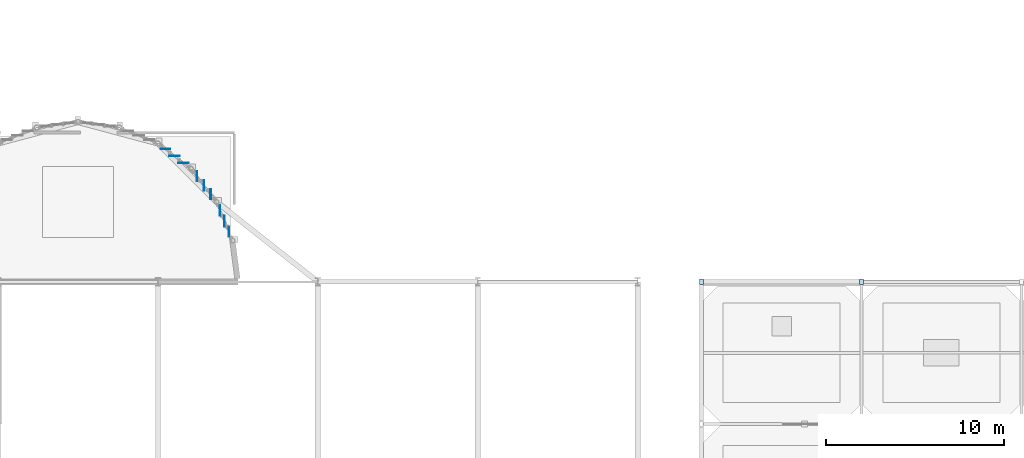
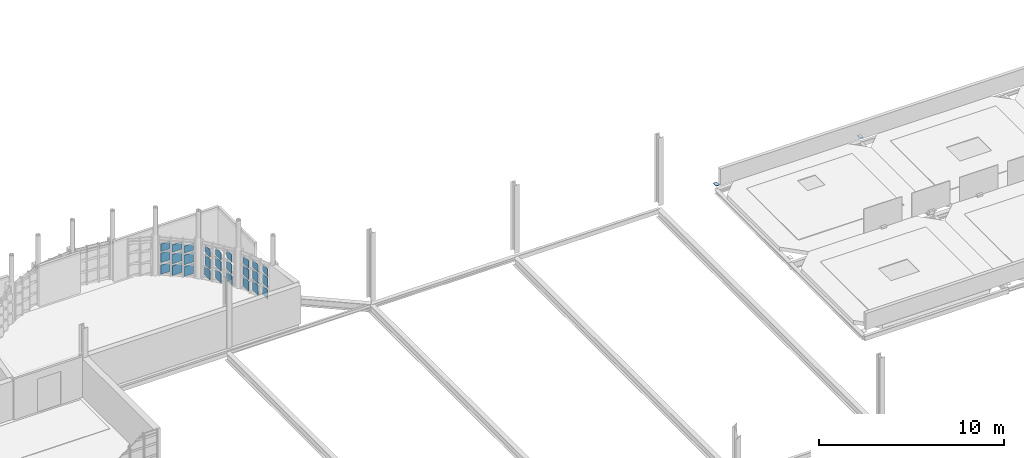
# One storey, part 36 of 44: 29 plates, 3 elements without a shape of their own.
"""IFC4 building model written with IfcOpenShell, lengths in metres."""

from ifc_helpers import new_model, si_unit, direction, frame, origin, origin_2d, place, context, subcontext, project, spatial, rectangle, extrude, material, layer, layer_set, type_object, element, aggregate, save


model = new_model("IFC4")

# Units and contexts
model_context = context("Model", 3, precision=1e-05, world=origin(), true_north=direction((0.0, 1.0)))
body_context = subcontext(model_context, "Body", "Model", "MODEL_VIEW")
ifc_project = project(units=[si_unit("LENGTHUNIT", "METRE"), si_unit("AREAUNIT", "SQUARE_METRE"), si_unit("VOLUMEUNIT", "CUBIC_METRE"), si_unit("PLANEANGLEUNIT", "RADIAN"), si_unit("MASSUNIT", "GRAM", prefix="KILO")], contexts=[model_context])

# Site, building, storey
site_placement = place(None, origin())
site = spatial("IfcSite", under=ifc_project, at=site_placement, CompositionType="ELEMENT")
building_placement = place(site_placement, origin())
building = spatial("IfcBuilding", under=site, at=building_placement, Name="Serraforn Aerial Cableway Station", CompositionType="ELEMENT")
storey_placement = place(building_placement, frame((0.0, 0.0, 13.800048828125)))
storey = spatial("IfcBuildingStorey", under=building, at=storey_placement, Name="L03", CompositionType="ELEMENT", Elevation=13.800048828125)

# Curtain wall, plate
ifc_material_1 = material(Name="Anodised bronze unitised curtain wall")
curtain_wall_type_1 = type_object("IfcCurtainWallType", Name="CW-SYS-28", PredefinedType="USERDEFINED", material=ifc_material_1)
curtain_wall_1_placement = place(storey_placement, origin())
curtain_wall_1 = element("IfcCurtainWall", 1, at=curtain_wall_1_placement, inside=storey, type_object=curtain_wall_type_1, Name="Unitised Curtain Wall CW-AP-L03-R9", ObjectType="UNITISED CURTAIN WALL", PredefinedType="USERDEFINED")
ifc_material_2 = material(Name="Solar-control low-E double glazing", Category="glass")
ifc_layer_1 = layer(ifc_material_2, 0.02587890625)
ifc_layer_set_1 = layer_set([ifc_layer_1], Name="Solar-control low-E double glazing")
plate_type_1 = type_object("IfcPlateType", Name="CW-GLZ-1", PredefinedType="CURTAIN_PANEL", material=ifc_layer_set_1)
plate_1_placement = place(storey_placement, frame((64.025634765625, 49.467529296875, 1.68505859375), z_axis=(0.0, 0.0, 1.0), x_axis=(1.0, 0.0, 0.0)))
plate_1 = element("IfcPlate", 2, at=plate_1_placement, type_object=plate_type_1, Name="Curtain Wall Panel CW-AP-L03-R9-P3-3", PredefinedType="CURTAIN_PANEL", context=body_context, shape_type="SweptSolid", body=[
    extrude(rectangle(XDim=0.558349609375, YDim=0.02587890625, at=origin_2d()), origin(), (0.0, 0.0, 1.0), 0.5009765625),
])

# Curtain wall, plates
curtain_wall_type_2 = type_object("IfcCurtainWallType", Name="CW-SYS-1", PredefinedType="USERDEFINED", material=ifc_material_1)
curtain_wall_2_placement = place(storey_placement, origin())
curtain_wall_2 = element("IfcCurtainWall", 3, at=curtain_wall_2_placement, inside=storey, type_object=curtain_wall_type_2, Name="Unitised Curtain Wall CW-AP-L03-R10", ObjectType="UNITISED CURTAIN WALL", PredefinedType="USERDEFINED")
plate_2_placement = place(storey_placement, frame((66.179931640625, 47.430908203125, 1.68505859375), z_axis=(0.0, 0.0, 1.0), x_axis=(1.0, 0.0, 0.0)))
plate_2 = element("IfcPlate", 4, at=plate_2_placement, type_object=plate_type_1, Name="Curtain Wall Panel CW-AP-L03-R10-P2-3", PredefinedType="CURTAIN_PANEL", context=body_context, shape_type="SweptSolid", body=[
    extrude(rectangle(XDim=0.02587890625, YDim=0.593505859375, at=origin_2d()), origin(), (0.0, 0.0, 1.0), 0.5009765625),
])
plate_3_placement = place(storey_placement, frame((65.79150390625, 47.937255859375, 0.919921875), z_axis=(0.0, 0.0, 1.0), x_axis=(1.0, 0.0, 0.0)))
plate_3 = element("IfcPlate", 5, at=plate_3_placement, type_object=plate_type_1, Name="Curtain Wall Panel CW-AP-L03-R10-P3-2", PredefinedType="CURTAIN_PANEL", context=body_context, shape_type="SweptSolid", body=[
    extrude(rectangle(XDim=0.02587890625, YDim=0.55078125, at=origin_2d()), origin(), (0.0, 0.0, 1.0), 0.654052734375),
])

curtain_wall_type_3 = type_object("IfcCurtainWallType", Name="CW-SYS-2", PredefinedType="USERDEFINED", material=ifc_material_1)
curtain_wall_3_placement = place(storey_placement, origin())
curtain_wall_3 = element("IfcCurtainWall", 6, at=curtain_wall_3_placement, inside=storey, type_object=curtain_wall_type_3, Name="Unitised Curtain Wall CW-AP-L03-R11", ObjectType="UNITISED CURTAIN WALL", PredefinedType="USERDEFINED")
plate_4_placement = place(storey_placement, frame((67.5927734375, 44.813720703125, 1.68505859375), z_axis=(0.0, 0.0, 1.0), x_axis=(1.0, 0.0, 0.0)))
plate_4 = element("IfcPlate", 7, at=plate_4_placement, type_object=plate_type_1, Name="Curtain Wall Panel CW-AP-L03-R11-P1-3", PredefinedType="CURTAIN_PANEL", context=body_context, shape_type="SweptSolid", body=[
    extrude(rectangle(XDim=0.02587890625, YDim=0.569580078125, at=origin_2d()), origin(), (0.0, 0.0, 1.0), 0.5009765625),
])
plate_5_placement = place(storey_placement, frame((67.34423828125, 45.41357421875, 0.919921875), z_axis=(0.0, 0.0, 1.0), x_axis=(1.0, 0.0, 0.0)))
plate_5 = element("IfcPlate", 8, at=plate_5_placement, type_object=plate_type_1, Name="Curtain Wall Panel CW-AP-L03-R11-P2-2", PredefinedType="CURTAIN_PANEL", context=body_context, shape_type="SweptSolid", body=[
    extrude(rectangle(XDim=0.02587890625, YDim=0.59716796875, at=origin_2d()), origin(), (0.0, 0.0, 1.0), 0.654052734375),
])
plate_6_placement = place(storey_placement, frame((67.09228515625, 46.021484375, 0.15478515625), z_axis=(0.0, 0.0, 1.0), x_axis=(1.0, 0.0, 0.0)))
plate_6 = element("IfcPlate", 9, at=plate_6_placement, type_object=plate_type_1, Name="Curtain Wall Panel CW-AP-L03-R11-P3-1", PredefinedType="CURTAIN_PANEL", context=body_context, shape_type="SweptSolid", body=[
    extrude(rectangle(XDim=0.02587890625, YDim=0.5771484375, at=origin_2d()), origin(), (0.0, 0.0, 1.0), 0.654052734375),
])

# Plate
ifc_layer_2 = layer(ifc_material_2, 0.028076171875)
ifc_layer_set_2 = layer_set([ifc_layer_2], Name="Solar-control low-E double glazing")
plate_type_2 = type_object("IfcPlateType", Name="CW-GLZ-2", PredefinedType="CURTAIN_PANEL", material=ifc_layer_set_2)
plate_7_placement = place(storey_placement, frame((65.79150390625, 47.937255859375, 1.68994140625), z_axis=(0.0, 0.0, 1.0), x_axis=(1.0, 0.0, 0.0)))
plate_7 = element("IfcPlate", 10, at=plate_7_placement, type_object=plate_type_2, Name="Curtain Wall Panel CW-AP-L03-R10-P3-3", PredefinedType="CURTAIN_PANEL", context=body_context, shape_type="SweptSolid", body=[
    extrude(rectangle(XDim=0.028076171875, YDim=0.55078125, at=origin_2d()), origin(), (0.0, 0.0, 1.0), 0.488525390625),
])

plate_8_placement = place(storey_placement, frame((67.34423828125, 45.41357421875, 1.68994140625), z_axis=(0.0, 0.0, 1.0), x_axis=(1.0, 0.0, 0.0)))
plate_8 = element("IfcPlate", 11, at=plate_8_placement, type_object=plate_type_2, Name="Curtain Wall Panel CW-AP-L03-R11-P2-3", PredefinedType="CURTAIN_PANEL", context=body_context, shape_type="SweptSolid", body=[
    extrude(rectangle(XDim=0.028076171875, YDim=0.59716796875, at=origin_2d()), origin(), (0.0, 0.0, 1.0), 0.488525390625),
])

plate_9_placement = place(storey_placement, frame((67.09228515625, 46.021484375, 0.9248046875), z_axis=(0.0, 0.0, 1.0), x_axis=(1.0, 0.0, 0.0)))
plate_9 = element("IfcPlate", 12, at=plate_9_placement, type_object=plate_type_2, Name="Curtain Wall Panel CW-AP-L03-R11-P3-2", PredefinedType="CURTAIN_PANEL", context=body_context, shape_type="SweptSolid", body=[
    extrude(rectangle(XDim=0.028076171875, YDim=0.5771484375, at=origin_2d()), origin(), (0.0, 0.0, 1.0), 0.6416015625),
])

ifc_layer_3 = layer(ifc_material_2, 0.030029296875)
ifc_layer_set_3 = layer_set([ifc_layer_3], Name="Solar-control low-E double glazing")
plate_type_3 = type_object("IfcPlateType", Name="CW-GLZ-3", PredefinedType="CURTAIN_PANEL", material=ifc_layer_set_3)
plate_10_placement = place(storey_placement, frame((67.09228515625, 46.021484375, 1.69775390625), z_axis=(0.0, 0.0, 1.0), x_axis=(1.0, 0.0, 0.0)))
plate_10 = element("IfcPlate", 13, at=plate_10_placement, type_object=plate_type_3, Name="Curtain Wall Panel CW-AP-L03-R11-P3-3", PredefinedType="CURTAIN_PANEL", context=body_context, shape_type="SweptSolid", body=[
    extrude(rectangle(XDim=0.030029296875, YDim=0.5771484375, at=origin_2d()), origin(), (0.0, 0.0, 1.0), 0.473388671875),
])

ifc_layer_4 = layer(ifc_material_2, 0.033935546875)
ifc_layer_set_4 = layer_set([ifc_layer_4], Name="Solar-control low-E double glazing")
plate_type_4 = type_object("IfcPlateType", Name="CW-GLZ-5", PredefinedType="CURTAIN_PANEL", material=ifc_layer_set_4)
plate_11_placement = place(storey_placement, frame((65.043212890625, 48.686767578125, 0.159912109375), z_axis=(0.0, 0.0, 1.0), x_axis=(1.0, 0.0, 0.0)))
plate_11 = element("IfcPlate", 14, at=plate_11_placement, type_object=plate_type_4, Name="Curtain Wall Panel CW-AP-L03-R9-P1-1", PredefinedType="CURTAIN_PANEL", context=body_context, shape_type="SweptSolid", body=[
    extrude(rectangle(XDim=0.575927734375, YDim=0.033935546875, at=origin_2d()), origin(), (0.0, 0.0, 1.0), 0.6416015625),
])

ifc_layer_5 = layer(ifc_material_2, 0.035888671875)
ifc_layer_set_5 = layer_set([ifc_layer_5], Name="Solar-control low-E double glazing")
plate_type_5 = type_object("IfcPlateType", Name="CW-GLZ-6", PredefinedType="CURTAIN_PANEL", material=ifc_layer_set_5)
plate_12_placement = place(storey_placement, frame((65.043212890625, 48.686767578125, 0.9326171875), z_axis=(0.0, 0.0, 1.0), x_axis=(1.0, 0.0, 0.0)))
plate_12 = element("IfcPlate", 15, at=plate_12_placement, type_object=plate_type_5, Name="Curtain Wall Panel CW-AP-L03-R9-P1-2", PredefinedType="CURTAIN_PANEL", context=body_context, shape_type="SweptSolid", body=[
    extrude(rectangle(XDim=0.575927734375, YDim=0.035888671875, at=origin_2d()), origin(), (0.0, 0.0, 1.0), 0.62646484375),
])

plate_13_placement = place(storey_placement, frame((64.532958984375, 49.078369140625, 0.16748046875), z_axis=(0.0, 0.0, 1.0), x_axis=(1.0, 0.0, 0.0)))
plate_13 = element("IfcPlate", 16, at=plate_13_placement, type_object=plate_type_5, Name="Curtain Wall Panel CW-AP-L03-R9-P2-1", PredefinedType="CURTAIN_PANEL", context=body_context, shape_type="SweptSolid", body=[
    extrude(rectangle(XDim=0.598388671875, YDim=0.035888671875, at=origin_2d()), origin(), (0.0, 0.0, 1.0), 0.62646484375),
])

plate_14_placement = place(storey_placement, frame((66.570556640625, 46.921875, 0.16748046875), z_axis=(0.0, 0.0, 1.0), x_axis=(1.0, 0.0, 0.0)))
plate_14 = element("IfcPlate", 17, at=plate_14_placement, type_object=plate_type_5, Name="Curtain Wall Panel CW-AP-L03-R10-P1-1", PredefinedType="CURTAIN_PANEL", context=body_context, shape_type="SweptSolid", body=[
    extrude(rectangle(XDim=0.035888671875, YDim=0.568359375, at=origin_2d()), origin(), (0.0, 0.0, 1.0), 0.62646484375),
])

ifc_layer_6 = layer(ifc_material_2, 0.029052734375)
ifc_layer_set_6 = layer_set([ifc_layer_6], Name="Solar-control low-E double glazing")
plate_type_6 = type_object("IfcPlateType", Name="CW-GLZ-7", PredefinedType="CURTAIN_PANEL", material=ifc_layer_set_6)
plate_15_placement = place(storey_placement, frame((65.043212890625, 48.686767578125, 1.704833984375), z_axis=(0.0, 0.0, 1.0), x_axis=(1.0, 0.0, 0.0)))
plate_15 = element("IfcPlate", 18, at=plate_15_placement, type_object=plate_type_6, Name="Curtain Wall Panel CW-AP-L03-R9-P1-3", PredefinedType="CURTAIN_PANEL", context=body_context, shape_type="SweptSolid", body=[
    extrude(rectangle(XDim=0.575927734375, YDim=0.029052734375, at=origin_2d()), origin(), (0.0, 0.0, 1.0), 0.45849609375),
])

plate_16_placement = place(storey_placement, frame((64.532958984375, 49.078369140625, 0.93994140625), z_axis=(0.0, 0.0, 1.0), x_axis=(1.0, 0.0, 0.0)))
plate_16 = element("IfcPlate", 19, at=plate_16_placement, type_object=plate_type_6, Name="Curtain Wall Panel CW-AP-L03-R9-P2-2", PredefinedType="CURTAIN_PANEL", context=body_context, shape_type="SweptSolid", body=[
    extrude(rectangle(XDim=0.598388671875, YDim=0.029052734375, at=origin_2d()), origin(), (0.0, 0.0, 1.0), 0.611572265625),
])

plate_17_placement = place(storey_placement, frame((64.025634765625, 49.467529296875, 0.1748046875), z_axis=(0.0, 0.0, 1.0), x_axis=(1.0, 0.0, 0.0)))
plate_17 = element("IfcPlate", 20, at=plate_17_placement, type_object=plate_type_6, Name="Curtain Wall Panel CW-AP-L03-R9-P3-1", PredefinedType="CURTAIN_PANEL", context=body_context, shape_type="SweptSolid", body=[
    extrude(rectangle(XDim=0.558349609375, YDim=0.029052734375, at=origin_2d()), origin(), (0.0, 0.0, 1.0), 0.611572265625),
])

plate_18_placement = place(storey_placement, frame((66.570556640625, 46.921875, 0.93994140625), z_axis=(0.0, 0.0, 1.0), x_axis=(1.0, 0.0, 0.0)))
plate_18 = element("IfcPlate", 21, at=plate_18_placement, type_object=plate_type_6, Name="Curtain Wall Panel CW-AP-L03-R10-P1-2", PredefinedType="CURTAIN_PANEL", context=body_context, shape_type="SweptSolid", body=[
    extrude(rectangle(XDim=0.029052734375, YDim=0.568359375, at=origin_2d()), origin(), (0.0, 0.0, 1.0), 0.611572265625),
])

plate_19_placement = place(storey_placement, frame((66.179931640625, 47.430908203125, 0.1748046875), z_axis=(0.0, 0.0, 1.0), x_axis=(1.0, 0.0, 0.0)))
plate_19 = element("IfcPlate", 22, at=plate_19_placement, type_object=plate_type_6, Name="Curtain Wall Panel CW-AP-L03-R10-P2-1", PredefinedType="CURTAIN_PANEL", context=body_context, shape_type="SweptSolid", body=[
    extrude(rectangle(XDim=0.029052734375, YDim=0.593505859375, at=origin_2d()), origin(), (0.0, 0.0, 1.0), 0.611572265625),
])

plate_20_placement = place(storey_placement, frame((67.5927734375, 44.813720703125, 0.1748046875), z_axis=(0.0, 0.0, 1.0), x_axis=(1.0, 0.0, 0.0)))
plate_20 = element("IfcPlate", 23, at=plate_20_placement, type_object=plate_type_6, Name="Curtain Wall Panel CW-AP-L03-R11-P1-1", PredefinedType="CURTAIN_PANEL", context=body_context, shape_type="SweptSolid", body=[
    extrude(rectangle(XDim=0.029052734375, YDim=0.569580078125, at=origin_2d()), origin(), (0.0, 0.0, 1.0), 0.611572265625),
])

ifc_layer_7 = layer(ifc_material_2, 0.031005859375)
ifc_layer_set_7 = layer_set([ifc_layer_7], Name="Solar-control low-E double glazing")
plate_type_7 = type_object("IfcPlateType", Name="CW-GLZ-8", PredefinedType="CURTAIN_PANEL", material=ifc_layer_set_7)
plate_21_placement = place(storey_placement, frame((64.532958984375, 49.078369140625, 1.71240234375), z_axis=(0.0, 0.0, 1.0), x_axis=(1.0, 0.0, 0.0)))
plate_21 = element("IfcPlate", 24, at=plate_21_placement, type_object=plate_type_7, Name="Curtain Wall Panel CW-AP-L03-R9-P2-3", PredefinedType="CURTAIN_PANEL", context=body_context, shape_type="SweptSolid", body=[
    extrude(rectangle(XDim=0.598388671875, YDim=0.031005859375, at=origin_2d()), origin(), (0.0, 0.0, 1.0), 0.478515625),
])

plate_22_placement = place(storey_placement, frame((64.025634765625, 49.467529296875, 0.947265625), z_axis=(0.0, 0.0, 1.0), x_axis=(1.0, 0.0, 0.0)))
plate_22 = element("IfcPlate", 25, at=plate_22_placement, type_object=plate_type_7, Name="Curtain Wall Panel CW-AP-L03-R9-P3-2", PredefinedType="CURTAIN_PANEL", context=body_context, shape_type="SweptSolid", body=[
    extrude(rectangle(XDim=0.558349609375, YDim=0.031005859375, at=origin_2d()), origin(), (0.0, 0.0, 1.0), 0.631591796875),
])

aggregate(curtain_wall_1, [plate_11, plate_12, plate_15, plate_13, plate_16, plate_21, plate_17, plate_22, plate_1])

plate_23_placement = place(storey_placement, frame((66.570556640625, 46.921875, 1.71240234375), z_axis=(0.0, 0.0, 1.0), x_axis=(1.0, 0.0, 0.0)))
plate_23 = element("IfcPlate", 26, at=plate_23_placement, type_object=plate_type_7, Name="Curtain Wall Panel CW-AP-L03-R10-P1-3", PredefinedType="CURTAIN_PANEL", context=body_context, shape_type="SweptSolid", body=[
    extrude(rectangle(XDim=0.031005859375, YDim=0.568359375, at=origin_2d()), origin(), (0.0, 0.0, 1.0), 0.478515625),
])

plate_24_placement = place(storey_placement, frame((66.179931640625, 47.430908203125, 0.947265625), z_axis=(0.0, 0.0, 1.0), x_axis=(1.0, 0.0, 0.0)))
plate_24 = element("IfcPlate", 27, at=plate_24_placement, type_object=plate_type_7, Name="Curtain Wall Panel CW-AP-L03-R10-P2-2", PredefinedType="CURTAIN_PANEL", context=body_context, shape_type="SweptSolid", body=[
    extrude(rectangle(XDim=0.031005859375, YDim=0.593505859375, at=origin_2d()), origin(), (0.0, 0.0, 1.0), 0.631591796875),
])

plate_25_placement = place(storey_placement, frame((65.79150390625, 47.937255859375, 0.18212890625), z_axis=(0.0, 0.0, 1.0), x_axis=(1.0, 0.0, 0.0)))
plate_25 = element("IfcPlate", 28, at=plate_25_placement, type_object=plate_type_7, Name="Curtain Wall Panel CW-AP-L03-R10-P3-1", PredefinedType="CURTAIN_PANEL", context=body_context, shape_type="SweptSolid", body=[
    extrude(rectangle(XDim=0.031005859375, YDim=0.55078125, at=origin_2d()), origin(), (0.0, 0.0, 1.0), 0.631591796875),
])

aggregate(curtain_wall_2, [plate_14, plate_18, plate_23, plate_19, plate_24, plate_2, plate_25, plate_3, plate_7])

plate_26_placement = place(storey_placement, frame((67.5927734375, 44.813720703125, 0.947265625), z_axis=(0.0, 0.0, 1.0), x_axis=(1.0, 0.0, 0.0)))
plate_26 = element("IfcPlate", 29, at=plate_26_placement, type_object=plate_type_7, Name="Curtain Wall Panel CW-AP-L03-R11-P1-2", PredefinedType="CURTAIN_PANEL", context=body_context, shape_type="SweptSolid", body=[
    extrude(rectangle(XDim=0.031005859375, YDim=0.569580078125, at=origin_2d()), origin(), (0.0, 0.0, 1.0), 0.631591796875),
])

plate_27_placement = place(storey_placement, frame((67.34423828125, 45.41357421875, 0.18212890625), z_axis=(0.0, 0.0, 1.0), x_axis=(1.0, 0.0, 0.0)))
plate_27 = element("IfcPlate", 30, at=plate_27_placement, type_object=plate_type_7, Name="Curtain Wall Panel CW-AP-L03-R11-P2-1", PredefinedType="CURTAIN_PANEL", context=body_context, shape_type="SweptSolid", body=[
    extrude(rectangle(XDim=0.031005859375, YDim=0.59716796875, at=origin_2d()), origin(), (0.0, 0.0, 1.0), 0.631591796875),
])

aggregate(curtain_wall_3, [plate_20, plate_26, plate_4, plate_27, plate_5, plate_8, plate_6, plate_9, plate_10])

# Plates
ifc_material_3 = material(Name="Steel S355J2", Category="steel")
ifc_layer_8 = layer(ifc_material_3, 0.02490234375)
ifc_layer_set_8 = layer_set([ifc_layer_8], Name="Steel S355J2")
plate_type_8 = type_object("IfcPlateType", Name="PLT-ECP-RHS300", PredefinedType="USERDEFINED", material=ifc_layer_set_8)
for number, where, z_axis, x_axis, name in (
    (31, (94.199951171875, 42.0, -0.0009765625), (0.0, 0.0, 1.0), (1.0, 0.0, 0.0), "Hollow Column End Cap COL-EL-L02-13-F"),
    (32, (103.199951171875, 42.0, -0.0009765625), (0.0, 0.0, 1.0), (1.0, 0.0, 0.0), "Hollow Column End Cap COL-EL-L02-14-F"),
):
    element("IfcPlate", number, at=place(storey_placement, frame(where, z_axis=z_axis, x_axis=x_axis)), inside=storey, type_object=plate_type_8, Name=name, ObjectType="END CAP PLATE", PredefinedType="USERDEFINED", context=body_context, shape_type="SweptSolid", body=[
        extrude(rectangle(XDim=0.219970703125, YDim=0.320068359375, at=origin_2d()), origin(), (0.0, 0.0, 1.0), 0.02490234375),
    ])

save(model, "model.ifc")
